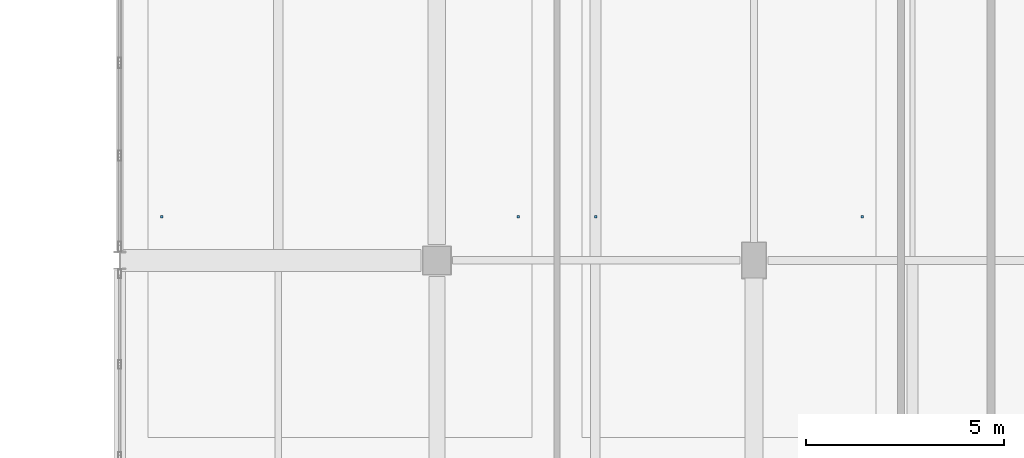
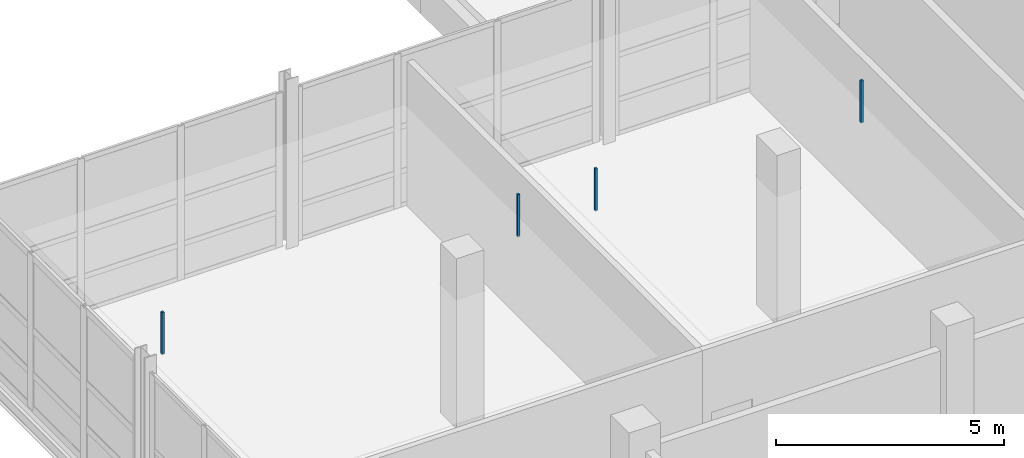
# One storey, part 88 of 107: 4 discrete accessories.
"""IFC4 building model written with IfcOpenShell, lengths in metres."""

from ifc_helpers import new_model, si_unit, direction, frame, origin, origin_2d, place, context, subcontext, project, spatial, rectangle, extrude, material, type_object, element, save


model = new_model("IFC4")

# Units and contexts
model_context = context("Model", 3, precision=1e-05, world=origin(), true_north=direction((0.0, 1.0)))
body_context = subcontext(model_context, "Body", "Model", "MODEL_VIEW")
ifc_project = project(units=[si_unit("LENGTHUNIT", "METRE"), si_unit("AREAUNIT", "SQUARE_METRE"), si_unit("VOLUMEUNIT", "CUBIC_METRE"), si_unit("PLANEANGLEUNIT", "RADIAN"), si_unit("MASSUNIT", "GRAM", prefix="KILO")], contexts=[model_context])

# Site, building, storey
site_placement = place(None, origin())
site = spatial("IfcSite", under=ifc_project, at=site_placement, CompositionType="ELEMENT")
building_placement = place(site_placement, origin())
building = spatial("IfcBuilding", under=site, at=building_placement, Name="Khelvaren Railside Concert Hall", CompositionType="ELEMENT")
storey_placement = place(building_placement, frame((0.0, 0.0, 15.0)))
storey = spatial("IfcBuildingStorey", under=building, at=storey_placement, Name="L03", CompositionType="ELEMENT", Elevation=15.0)

# Discrete accessories
ifc_material = material(Name="Galvanised steel acoustic ceiling hanger rod", Category="steel")
discrete_accessory_type = type_object("IfcDiscreteAccessoryType", Name="BRK62", PredefinedType="BRACKET", material=ifc_material)
for number, where, z_axis, x_axis, name in (
    (1, (145.06005859375, 31.5, 3.429931640625), (0.0, 0.0, 1.0), (1.0, 0.0, 0.0), "Acoustic Ceiling Suspension Bracket 65-1"),
    (2, (154.052978515625, 31.5, 3.429931640625), (0.0, 0.0, 1.0), (1.0, 0.0, 0.0), "Acoustic Ceiling Suspension Bracket 65-2"),
    (3, (156.012939453125, 31.5, 3.429931640625), (0.0, 0.0, 1.0), (1.0, 0.0, 0.0), "Acoustic Ceiling Suspension Bracket 66-1"),
    (4, (162.73291015625, 31.5, 3.429931640625), (0.0, 0.0, 1.0), (1.0, 0.0, 0.0), "Acoustic Ceiling Suspension Bracket 66-2"),
):
    element("IfcDiscreteAccessory", number, at=place(storey_placement, frame(where, z_axis=z_axis, x_axis=x_axis)), inside=storey, type_object=discrete_accessory_type, Name=name, PredefinedType="BRACKET", context=body_context, shape_type="SweptSolid", body=[
        extrude(rectangle(XDim=0.06005859375, YDim=0.06005859375, at=origin_2d()), origin(), (0.0, 0.0, 1.0), 1.1201171875),
    ])

save(model, "model.ifc")
